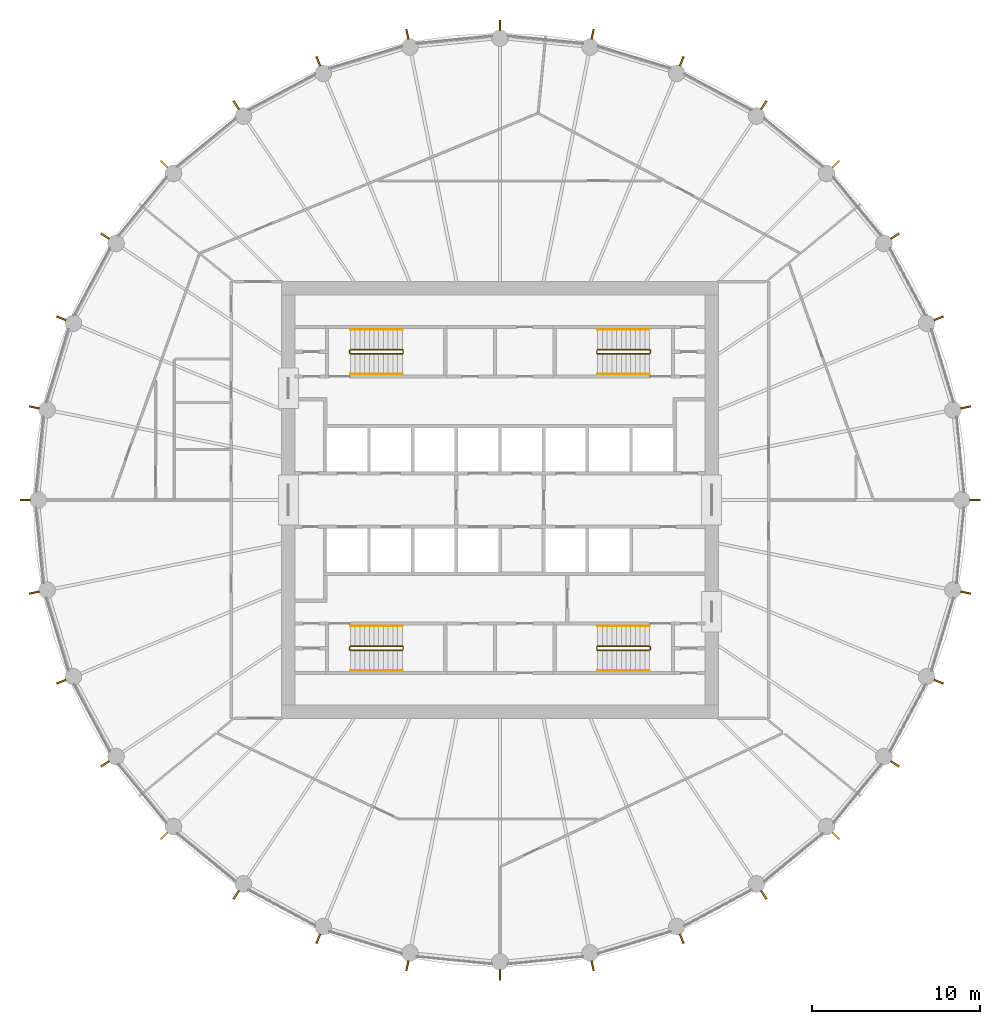
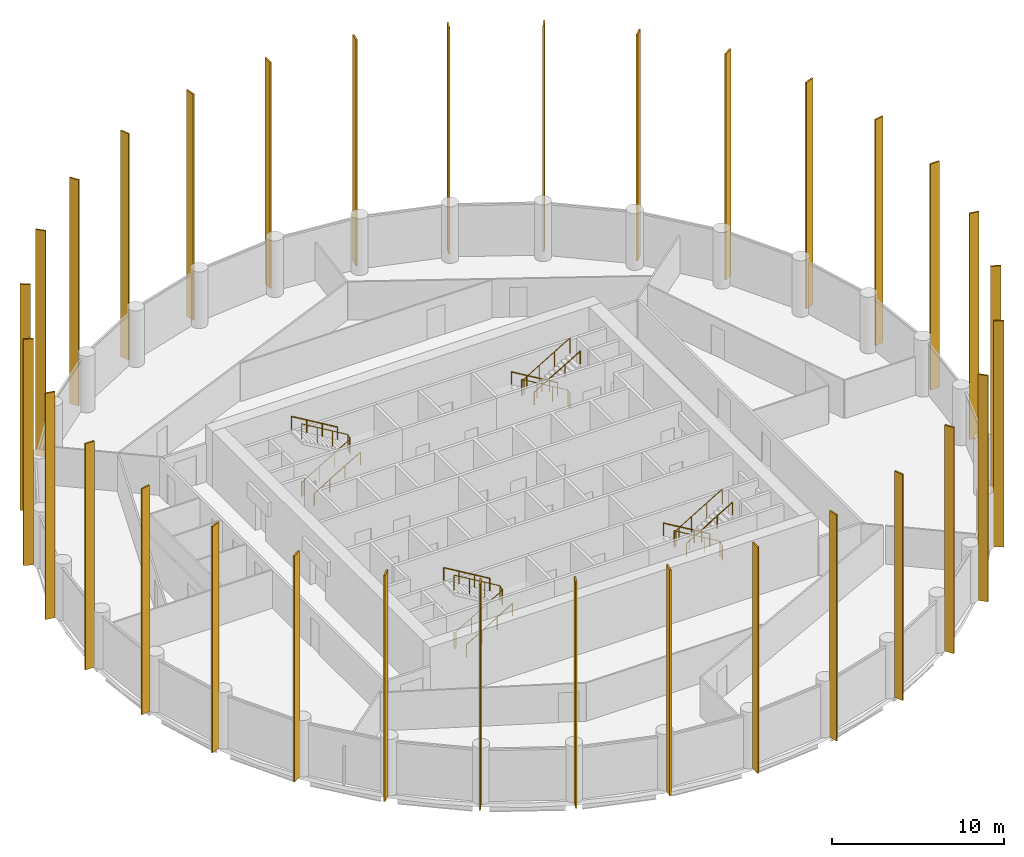
# One storey, part 8 of 8: 32 shading devices, 12 railings.
"""IFC4 building model written with IfcOpenShell, lengths in metres."""

from ifc_helpers import new_model, si_unit, direction, frame, origin, origin_2d, place, context, subcontext, project, spatial, rectangle, circle, extrude, material, material_profile, profile_set, type_object, element, save


model = new_model("IFC4")

# Units and contexts
model_context = context("Model", 3, precision=1e-05, world=origin(), true_north=direction((0.0, 1.0)))
body_context = subcontext(model_context, "Body", "Model", "MODEL_VIEW")
ifc_project = project(units=[si_unit("LENGTHUNIT", "METRE"), si_unit("AREAUNIT", "SQUARE_METRE"), si_unit("VOLUMEUNIT", "CUBIC_METRE"), si_unit("PLANEANGLEUNIT", "RADIAN"), si_unit("MASSUNIT", "GRAM", prefix="KILO")], contexts=[model_context])

# Site, building, storey
site_placement = place(None, origin())
site = spatial("IfcSite", under=ifc_project, at=site_placement, CompositionType="ELEMENT")
building_placement = place(site_placement, origin())
building = spatial("IfcBuilding", under=site, at=building_placement, Name="Corvane Civic Tower", CompositionType="ELEMENT")
storey_placement = place(building_placement, frame((0.0, 0.0, 233.5)))
storey = spatial("IfcBuildingStorey", under=building, at=storey_placement, Name="L55", CompositionType="ELEMENT", Elevation=233.5)

# Railings
ifc_material_1 = material(Name="Steel ASTM A572 Gr 50", Category="steel")
railing_type_1 = type_object("IfcRailingType", Name="ST-GUARD-1100", PredefinedType="GUARDRAIL", material=ifc_material_1)
railing_1_placement = place(storey_placement, frame((8.949951171875, 8.75, 0.0)))
element("IfcRailing", 1, at=railing_1_placement, inside=storey, type_object=railing_type_1, Name="L55 ST1 stair guard 1", PredefinedType="GUARDRAIL", context=body_context, shape_type="SweptSolid", body=[
    extrude(circle(Radius=0.02392578125, at=origin_2d()), frame((0.0, 0.0, 1.076171875), z_axis=(0.0, 1.0, 0.0), x_axis=(-1.0, 0.0, 0.0)), (0.0, 0.0, 1.0), 0.14990234375),
    extrude(circle(Radius=0.02392578125, at=origin_2d()), frame((0.0, 0.14990234375, 1.076171875), z_axis=(-0.27628659633, 0.27628659633, 0.920506074601), x_axis=(-0.707106781187, -0.707106781187, 0.0)), (0.0, 0.0, 1.0), 0.18115234375),
    extrude(circle(Radius=0.02392578125, at=origin_2d()), frame((-0.050048828125, 0.199951171875, 1.24267578125), z_axis=(-0.859290745958, 0.0, 0.51148745235), x_axis=(0.0, -1.0, 0.0)), (0.0, 0.0, 1.0), 3.584228515625),
    extrude(circle(Radius=0.02392578125, at=origin_2d()), frame((-3.1298828125, 0.199951171875, 3.076171875), z_axis=(-0.707106781187, -0.707106781187, 0.0), x_axis=(0.707106781187, -0.707106781187, 0.0)), (0.0, 0.0, 1.0), 0.07080078125),
    extrude(circle(Radius=0.02392578125, at=origin_2d()), frame((-3.179931640625, 0.14990234375, 3.076171875), z_axis=(0.0, -1.0, 0.0), x_axis=(1.0, 0.0, 0.0)), (0.0, 0.0, 1.0), 0.14990234375),
    extrude(circle(Radius=0.02392578125, at=origin_2d()), frame((-3.179931640625, 0.0, 3.076171875), z_axis=(0.27628659633, -0.27628659633, 0.920506074601), x_axis=(0.707106781187, 0.707106781187, 0.0)), (0.0, 0.0, 1.0), 0.18115234375),
    extrude(circle(Radius=0.02392578125, at=origin_2d()), frame((-3.1298828125, -0.050048828125, 3.24267578125), z_axis=(0.859290745958, 0.0, 0.51148745235), x_axis=(0.0, 1.0, 0.0)), (0.0, 0.0, 1.0), 3.584228515625),
    extrude(circle(Radius=0.02099609375, at=origin_2d()), origin(), (0.0, 0.0, 1.0), 1.052001953125),
    extrude(circle(Radius=0.02099609375, at=origin_2d()), frame((0.0, 0.14990234375, 0.0)), (0.0, 0.0, 1.0), 1.052001953125),
    extrude(circle(Radius=0.02099609375, at=origin_2d()), frame((-0.050048828125, 0.199951171875, 0.166748046875)), (0.0, 0.0, 1.0), 1.052001953125),
    extrude(circle(Radius=0.02099609375, at=origin_2d()), frame((-1.07666015625, 0.199951171875, 0.77783203125)), (0.0, 0.0, 1.0), 1.052001953125),
    extrude(circle(Radius=0.02099609375, at=origin_2d()), frame((-2.103271484375, 0.199951171875, 1.388916015625)), (0.0, 0.0, 1.0), 1.052001953125),
    extrude(circle(Radius=0.02099609375, at=origin_2d()), frame((-3.1298828125, 0.199951171875, 2.0)), (0.0, 0.0, 1.0), 1.052001953125),
    extrude(circle(Radius=0.02099609375, at=origin_2d()), frame((-3.179931640625, 0.14990234375, 2.0)), (0.0, 0.0, 1.0), 1.052001953125),
    extrude(circle(Radius=0.02099609375, at=origin_2d()), frame((-3.179931640625, 0.0, 2.0)), (0.0, 0.0, 1.0), 1.052001953125),
    extrude(circle(Radius=0.02099609375, at=origin_2d()), frame((-3.1298828125, -0.050048828125, 2.166748046875)), (0.0, 0.0, 1.0), 1.052001953125),
    extrude(circle(Radius=0.02099609375, at=origin_2d()), frame((-2.103271484375, -0.050048828125, 2.77783203125)), (0.0, 0.0, 1.0), 1.052001953125),
    extrude(circle(Radius=0.02099609375, at=origin_2d()), frame((-1.07666015625, -0.050048828125, 3.388916015625)), (0.0, 0.0, 1.0), 1.052001953125),
    extrude(circle(Radius=0.02099609375, at=origin_2d()), frame((-0.050048828125, -0.050048828125, 4.0)), (0.0, 0.0, 1.0), 1.052001953125),
])
railing_2_placement = place(storey_placement, frame((8.949951171875, -8.89990234375, 0.0)))
element("IfcRailing", 2, at=railing_2_placement, inside=storey, type_object=railing_type_1, Name="L55 ST2 stair guard 1", PredefinedType="GUARDRAIL", context=body_context, shape_type="SweptSolid", body=[
    extrude(circle(Radius=0.02392578125, at=origin_2d()), frame((0.0, 0.0, 1.076171875), z_axis=(0.0, 1.0, 0.0), x_axis=(-1.0, 0.0, 0.0)), (0.0, 0.0, 1.0), 0.14990234375),
    extrude(circle(Radius=0.02392578125, at=origin_2d()), frame((0.0, 0.14990234375, 1.076171875), z_axis=(-0.27628659633, 0.27628659633, 0.920506074601), x_axis=(-0.707106781187, -0.707106781187, 0.0)), (0.0, 0.0, 1.0), 0.18115234375),
    extrude(circle(Radius=0.02392578125, at=origin_2d()), frame((-0.050048828125, 0.199951171875, 1.24267578125), z_axis=(-0.859290745958, 0.0, 0.51148745235), x_axis=(0.0, -1.0, 0.0)), (0.0, 0.0, 1.0), 3.584228515625),
    extrude(circle(Radius=0.02392578125, at=origin_2d()), frame((-3.1298828125, 0.199951171875, 3.076171875), z_axis=(-0.707106781187, -0.707106781187, 0.0), x_axis=(0.707106781187, -0.707106781187, 0.0)), (0.0, 0.0, 1.0), 0.07080078125),
    extrude(circle(Radius=0.02392578125, at=origin_2d()), frame((-3.179931640625, 0.14990234375, 3.076171875), z_axis=(0.0, -1.0, 0.0), x_axis=(1.0, 0.0, 0.0)), (0.0, 0.0, 1.0), 0.14990234375),
    extrude(circle(Radius=0.02392578125, at=origin_2d()), frame((-3.179931640625, 0.0, 3.076171875), z_axis=(0.27628659633, -0.27628659633, 0.920506074601), x_axis=(0.707106781187, 0.707106781187, 0.0)), (0.0, 0.0, 1.0), 0.18115234375),
    extrude(circle(Radius=0.02392578125, at=origin_2d()), frame((-3.1298828125, -0.050048828125, 3.24267578125), z_axis=(0.859290745958, 0.0, 0.51148745235), x_axis=(0.0, 1.0, 0.0)), (0.0, 0.0, 1.0), 3.584228515625),
    extrude(circle(Radius=0.02099609375, at=origin_2d()), origin(), (0.0, 0.0, 1.0), 1.052001953125),
    extrude(circle(Radius=0.02099609375, at=origin_2d()), frame((0.0, 0.14990234375, 0.0)), (0.0, 0.0, 1.0), 1.052001953125),
    extrude(circle(Radius=0.02099609375, at=origin_2d()), frame((-0.050048828125, 0.199951171875, 0.166748046875)), (0.0, 0.0, 1.0), 1.052001953125),
    extrude(circle(Radius=0.02099609375, at=origin_2d()), frame((-1.07666015625, 0.199951171875, 0.77783203125)), (0.0, 0.0, 1.0), 1.052001953125),
    extrude(circle(Radius=0.02099609375, at=origin_2d()), frame((-2.103271484375, 0.199951171875, 1.388916015625)), (0.0, 0.0, 1.0), 1.052001953125),
    extrude(circle(Radius=0.02099609375, at=origin_2d()), frame((-3.1298828125, 0.199951171875, 2.0)), (0.0, 0.0, 1.0), 1.052001953125),
    extrude(circle(Radius=0.02099609375, at=origin_2d()), frame((-3.179931640625, 0.14990234375, 2.0)), (0.0, 0.0, 1.0), 1.052001953125),
    extrude(circle(Radius=0.02099609375, at=origin_2d()), frame((-3.179931640625, 0.0, 2.0)), (0.0, 0.0, 1.0), 1.052001953125),
    extrude(circle(Radius=0.02099609375, at=origin_2d()), frame((-3.1298828125, -0.050048828125, 2.166748046875)), (0.0, 0.0, 1.0), 1.052001953125),
    extrude(circle(Radius=0.02099609375, at=origin_2d()), frame((-2.103271484375, -0.050048828125, 2.77783203125)), (0.0, 0.0, 1.0), 1.052001953125),
    extrude(circle(Radius=0.02099609375, at=origin_2d()), frame((-1.07666015625, -0.050048828125, 3.388916015625)), (0.0, 0.0, 1.0), 1.052001953125),
    extrude(circle(Radius=0.02099609375, at=origin_2d()), frame((-0.050048828125, -0.050048828125, 4.0)), (0.0, 0.0, 1.0), 1.052001953125),
])
railing_3_placement = place(storey_placement, frame((-8.949951171875, -8.75, 0.0)))
element("IfcRailing", 3, at=railing_3_placement, inside=storey, type_object=railing_type_1, Name="L55 ST3 stair guard 1", PredefinedType="GUARDRAIL", context=body_context, shape_type="SweptSolid", body=[
    extrude(circle(Radius=0.02392578125, at=origin_2d()), frame((0.0, 0.0, 1.076171875), z_axis=(0.0, -1.0, 0.0), x_axis=(1.0, 0.0, 0.0)), (0.0, 0.0, 1.0), 0.14990234375),
    extrude(circle(Radius=0.02392578125, at=origin_2d()), frame((0.0, -0.14990234375, 1.076171875), z_axis=(0.27628659633, -0.27628659633, 0.920506074601), x_axis=(0.707106781187, 0.707106781187, 0.0)), (0.0, 0.0, 1.0), 0.18115234375),
    extrude(circle(Radius=0.02392578125, at=origin_2d()), frame((0.050048828125, -0.199951171875, 1.24267578125), z_axis=(0.859290745958, 0.0, 0.51148745235), x_axis=(0.0, 1.0, 0.0)), (0.0, 0.0, 1.0), 3.584228515625),
    extrude(circle(Radius=0.02392578125, at=origin_2d()), frame((3.1298828125, -0.199951171875, 3.076171875), z_axis=(0.707106781187, 0.707106781187, 0.0), x_axis=(-0.707106781187, 0.707106781187, 0.0)), (0.0, 0.0, 1.0), 0.07080078125),
    extrude(circle(Radius=0.02392578125, at=origin_2d()), frame((3.179931640625, -0.14990234375, 3.076171875), z_axis=(0.0, 1.0, 0.0), x_axis=(-1.0, 0.0, 0.0)), (0.0, 0.0, 1.0), 0.14990234375),
    extrude(circle(Radius=0.02392578125, at=origin_2d()), frame((3.179931640625, 0.0, 3.076171875), z_axis=(-0.27628659633, 0.27628659633, 0.920506074601), x_axis=(-0.707106781187, -0.707106781187, 0.0)), (0.0, 0.0, 1.0), 0.18115234375),
    extrude(circle(Radius=0.02392578125, at=origin_2d()), frame((3.1298828125, 0.050048828125, 3.24267578125), z_axis=(-0.859290745958, 0.0, 0.51148745235), x_axis=(0.0, -1.0, 0.0)), (0.0, 0.0, 1.0), 3.584228515625),
    extrude(circle(Radius=0.02099609375, at=origin_2d()), origin(), (0.0, 0.0, 1.0), 1.052001953125),
    extrude(circle(Radius=0.02099609375, at=origin_2d()), frame((0.0, -0.14990234375, 0.0)), (0.0, 0.0, 1.0), 1.052001953125),
    extrude(circle(Radius=0.02099609375, at=origin_2d()), frame((0.050048828125, -0.199951171875, 0.166748046875)), (0.0, 0.0, 1.0), 1.052001953125),
    extrude(circle(Radius=0.02099609375, at=origin_2d()), frame((1.07666015625, -0.199951171875, 0.77783203125)), (0.0, 0.0, 1.0), 1.052001953125),
    extrude(circle(Radius=0.02099609375, at=origin_2d()), frame((2.103271484375, -0.199951171875, 1.388916015625)), (0.0, 0.0, 1.0), 1.052001953125),
    extrude(circle(Radius=0.02099609375, at=origin_2d()), frame((3.1298828125, -0.199951171875, 2.0)), (0.0, 0.0, 1.0), 1.052001953125),
    extrude(circle(Radius=0.02099609375, at=origin_2d()), frame((3.179931640625, -0.14990234375, 2.0)), (0.0, 0.0, 1.0), 1.052001953125),
    extrude(circle(Radius=0.02099609375, at=origin_2d()), frame((3.179931640625, 0.0, 2.0)), (0.0, 0.0, 1.0), 1.052001953125),
    extrude(circle(Radius=0.02099609375, at=origin_2d()), frame((3.1298828125, 0.050048828125, 2.166748046875)), (0.0, 0.0, 1.0), 1.052001953125),
    extrude(circle(Radius=0.02099609375, at=origin_2d()), frame((2.103271484375, 0.050048828125, 2.77783203125)), (0.0, 0.0, 1.0), 1.052001953125),
    extrude(circle(Radius=0.02099609375, at=origin_2d()), frame((1.07666015625, 0.050048828125, 3.388916015625)), (0.0, 0.0, 1.0), 1.052001953125),
    extrude(circle(Radius=0.02099609375, at=origin_2d()), frame((0.050048828125, 0.050048828125, 4.0)), (0.0, 0.0, 1.0), 1.052001953125),
])
railing_4_placement = place(storey_placement, frame((-8.949951171875, 8.89990234375, 0.0)))
element("IfcRailing", 4, at=railing_4_placement, inside=storey, type_object=railing_type_1, Name="L55 ST4 stair guard 1", PredefinedType="GUARDRAIL", context=body_context, shape_type="SweptSolid", body=[
    extrude(circle(Radius=0.02392578125, at=origin_2d()), frame((0.0, 0.0, 1.076171875), z_axis=(0.0, -1.0, 0.0), x_axis=(1.0, 0.0, 0.0)), (0.0, 0.0, 1.0), 0.14990234375),
    extrude(circle(Radius=0.02392578125, at=origin_2d()), frame((0.0, -0.14990234375, 1.076171875), z_axis=(0.27628659633, -0.27628659633, 0.920506074601), x_axis=(0.707106781187, 0.707106781187, 0.0)), (0.0, 0.0, 1.0), 0.18115234375),
    extrude(circle(Radius=0.02392578125, at=origin_2d()), frame((0.050048828125, -0.199951171875, 1.24267578125), z_axis=(0.859290745958, 0.0, 0.51148745235), x_axis=(0.0, 1.0, 0.0)), (0.0, 0.0, 1.0), 3.584228515625),
    extrude(circle(Radius=0.02392578125, at=origin_2d()), frame((3.1298828125, -0.199951171875, 3.076171875), z_axis=(0.707106781187, 0.707106781187, 0.0), x_axis=(-0.707106781187, 0.707106781187, 0.0)), (0.0, 0.0, 1.0), 0.07080078125),
    extrude(circle(Radius=0.02392578125, at=origin_2d()), frame((3.179931640625, -0.14990234375, 3.076171875), z_axis=(0.0, 1.0, 0.0), x_axis=(-1.0, 0.0, 0.0)), (0.0, 0.0, 1.0), 0.14990234375),
    extrude(circle(Radius=0.02392578125, at=origin_2d()), frame((3.179931640625, 0.0, 3.076171875), z_axis=(-0.27628659633, 0.27628659633, 0.920506074601), x_axis=(-0.707106781187, -0.707106781187, 0.0)), (0.0, 0.0, 1.0), 0.18115234375),
    extrude(circle(Radius=0.02392578125, at=origin_2d()), frame((3.1298828125, 0.050048828125, 3.24267578125), z_axis=(-0.859290745958, 0.0, 0.51148745235), x_axis=(0.0, -1.0, 0.0)), (0.0, 0.0, 1.0), 3.584228515625),
    extrude(circle(Radius=0.02099609375, at=origin_2d()), origin(), (0.0, 0.0, 1.0), 1.052001953125),
    extrude(circle(Radius=0.02099609375, at=origin_2d()), frame((0.0, -0.14990234375, 0.0)), (0.0, 0.0, 1.0), 1.052001953125),
    extrude(circle(Radius=0.02099609375, at=origin_2d()), frame((0.050048828125, -0.199951171875, 0.166748046875)), (0.0, 0.0, 1.0), 1.052001953125),
    extrude(circle(Radius=0.02099609375, at=origin_2d()), frame((1.07666015625, -0.199951171875, 0.77783203125)), (0.0, 0.0, 1.0), 1.052001953125),
    extrude(circle(Radius=0.02099609375, at=origin_2d()), frame((2.103271484375, -0.199951171875, 1.388916015625)), (0.0, 0.0, 1.0), 1.052001953125),
    extrude(circle(Radius=0.02099609375, at=origin_2d()), frame((3.1298828125, -0.199951171875, 2.0)), (0.0, 0.0, 1.0), 1.052001953125),
    extrude(circle(Radius=0.02099609375, at=origin_2d()), frame((3.179931640625, -0.14990234375, 2.0)), (0.0, 0.0, 1.0), 1.052001953125),
    extrude(circle(Radius=0.02099609375, at=origin_2d()), frame((3.179931640625, 0.0, 2.0)), (0.0, 0.0, 1.0), 1.052001953125),
    extrude(circle(Radius=0.02099609375, at=origin_2d()), frame((3.1298828125, 0.050048828125, 2.166748046875)), (0.0, 0.0, 1.0), 1.052001953125),
    extrude(circle(Radius=0.02099609375, at=origin_2d()), frame((2.103271484375, 0.050048828125, 2.77783203125)), (0.0, 0.0, 1.0), 1.052001953125),
    extrude(circle(Radius=0.02099609375, at=origin_2d()), frame((1.07666015625, 0.050048828125, 3.388916015625)), (0.0, 0.0, 1.0), 1.052001953125),
    extrude(circle(Radius=0.02099609375, at=origin_2d()), frame((0.050048828125, 0.050048828125, 4.0)), (0.0, 0.0, 1.0), 1.052001953125),
])
ifc_material_2 = material(Name="Steel ASTM A572 Gr 50", Category="steel")
railing_type_2 = type_object("IfcRailingType", Name="ST-HANDRAIL-900", PredefinedType="HANDRAIL", material=ifc_material_2)
railing_5_placement = place(storey_placement, frame((8.89990234375, 10.14990234375, 0.166748046875)))
element("IfcRailing", 5, at=railing_5_placement, inside=storey, type_object=railing_type_2, Name="L55 ST1 stair handrail 1", PredefinedType="HANDRAIL", context=body_context, shape_type="SweptSolid", body=[
    extrude(circle(Radius=0.02392578125, at=origin_2d()), frame((0.0, 0.0, 0.8759765625), z_axis=(-0.859290745958, 0.0, 0.51148745235), x_axis=(0.0, -1.0, 0.0)), (0.0, 0.0, 1.0), 3.584228515625),
    extrude(circle(Radius=0.02099609375, at=origin_2d()), origin(), (0.0, 0.0, 1.0), 0.851806640625),
    extrude(circle(Radius=0.02099609375, at=origin_2d()), frame((-1.026611328125, 0.0, 0.611083984375)), (0.0, 0.0, 1.0), 0.851806640625),
    extrude(circle(Radius=0.02099609375, at=origin_2d()), frame((-2.05322265625, 0.0, 1.22216796875)), (0.0, 0.0, 1.0), 0.851806640625),
    extrude(circle(Radius=0.02099609375, at=origin_2d()), frame((-3.079833984375, 0.0, 1.833251953125)), (0.0, 0.0, 1.0), 0.851806640625),
])
railing_6_placement = place(storey_placement, frame((5.820068359375, 7.5, 2.166748046875)))
element("IfcRailing", 6, at=railing_6_placement, inside=storey, type_object=railing_type_2, Name="L55 ST1 stair handrail 2", PredefinedType="HANDRAIL", context=body_context, shape_type="SweptSolid", body=[
    extrude(circle(Radius=0.02392578125, at=origin_2d()), frame((0.0, 0.0, 0.8759765625), z_axis=(0.859290745958, 0.0, 0.51148745235), x_axis=(0.0, 1.0, 0.0)), (0.0, 0.0, 1.0), 3.584228515625),
    extrude(circle(Radius=0.02099609375, at=origin_2d()), origin(), (0.0, 0.0, 1.0), 0.851806640625),
    extrude(circle(Radius=0.02099609375, at=origin_2d()), frame((1.026611328125, 0.0, 0.611083984375)), (0.0, 0.0, 1.0), 0.851806640625),
    extrude(circle(Radius=0.02099609375, at=origin_2d()), frame((2.05322265625, 0.0, 1.22216796875)), (0.0, 0.0, 1.0), 0.851806640625),
    extrude(circle(Radius=0.02099609375, at=origin_2d()), frame((3.079833984375, 0.0, 1.833251953125)), (0.0, 0.0, 1.0), 0.851806640625),
])
railing_7_placement = place(storey_placement, frame((8.89990234375, -7.5, 0.166748046875)))
element("IfcRailing", 7, at=railing_7_placement, inside=storey, type_object=railing_type_2, Name="L55 ST2 stair handrail 1", PredefinedType="HANDRAIL", context=body_context, shape_type="SweptSolid", body=[
    extrude(circle(Radius=0.02392578125, at=origin_2d()), frame((0.0, 0.0, 0.8759765625), z_axis=(-0.859290745958, 0.0, 0.51148745235), x_axis=(0.0, -1.0, 0.0)), (0.0, 0.0, 1.0), 3.584228515625),
    extrude(circle(Radius=0.02099609375, at=origin_2d()), origin(), (0.0, 0.0, 1.0), 0.851806640625),
    extrude(circle(Radius=0.02099609375, at=origin_2d()), frame((-1.026611328125, 0.0, 0.611083984375)), (0.0, 0.0, 1.0), 0.851806640625),
    extrude(circle(Radius=0.02099609375, at=origin_2d()), frame((-2.05322265625, 0.0, 1.22216796875)), (0.0, 0.0, 1.0), 0.851806640625),
    extrude(circle(Radius=0.02099609375, at=origin_2d()), frame((-3.079833984375, 0.0, 1.833251953125)), (0.0, 0.0, 1.0), 0.851806640625),
])
for number, where, name in (
    (8, (5.820068359375, -10.14990234375, 2.166748046875), "L55 ST2 stair handrail 2"),
    (9, (-8.89990234375, -10.14990234375, 0.166748046875), "L55 ST3 stair handrail 1"),
):
    element("IfcRailing", number, at=place(storey_placement, frame(where)), inside=storey, type_object=railing_type_2, Name=name, PredefinedType="HANDRAIL", context=body_context, shape_type="SweptSolid", body=[
        extrude(circle(Radius=0.02392578125, at=origin_2d()), frame((0.0, 0.0, 0.8759765625), z_axis=(0.859290745958, 0.0, 0.51148745235), x_axis=(0.0, 1.0, 0.0)), (0.0, 0.0, 1.0), 3.584228515625),
        extrude(circle(Radius=0.02099609375, at=origin_2d()), origin(), (0.0, 0.0, 1.0), 0.851806640625),
        extrude(circle(Radius=0.02099609375, at=origin_2d()), frame((1.026611328125, 0.0, 0.611083984375)), (0.0, 0.0, 1.0), 0.851806640625),
        extrude(circle(Radius=0.02099609375, at=origin_2d()), frame((2.05322265625, 0.0, 1.22216796875)), (0.0, 0.0, 1.0), 0.851806640625),
        extrude(circle(Radius=0.02099609375, at=origin_2d()), frame((3.079833984375, 0.0, 1.833251953125)), (0.0, 0.0, 1.0), 0.851806640625),
    ])
railing_8_placement = place(storey_placement, frame((-5.820068359375, -7.5, 2.166748046875)))
element("IfcRailing", 10, at=railing_8_placement, inside=storey, type_object=railing_type_2, Name="L55 ST3 stair handrail 2", PredefinedType="HANDRAIL", context=body_context, shape_type="SweptSolid", body=[
    extrude(circle(Radius=0.02392578125, at=origin_2d()), frame((0.0, 0.0, 0.8759765625), z_axis=(-0.859290745958, 0.0, 0.51148745235), x_axis=(0.0, -1.0, 0.0)), (0.0, 0.0, 1.0), 3.584228515625),
    extrude(circle(Radius=0.02099609375, at=origin_2d()), origin(), (0.0, 0.0, 1.0), 0.851806640625),
    extrude(circle(Radius=0.02099609375, at=origin_2d()), frame((-1.026611328125, 0.0, 0.611083984375)), (0.0, 0.0, 1.0), 0.851806640625),
    extrude(circle(Radius=0.02099609375, at=origin_2d()), frame((-2.05322265625, 0.0, 1.22216796875)), (0.0, 0.0, 1.0), 0.851806640625),
    extrude(circle(Radius=0.02099609375, at=origin_2d()), frame((-3.079833984375, 0.0, 1.833251953125)), (0.0, 0.0, 1.0), 0.851806640625),
])
railing_9_placement = place(storey_placement, frame((-8.89990234375, 7.5, 0.166748046875)))
element("IfcRailing", 11, at=railing_9_placement, inside=storey, type_object=railing_type_2, Name="L55 ST4 stair handrail 1", PredefinedType="HANDRAIL", context=body_context, shape_type="SweptSolid", body=[
    extrude(circle(Radius=0.02392578125, at=origin_2d()), frame((0.0, 0.0, 0.8759765625), z_axis=(0.859290745958, 0.0, 0.51148745235), x_axis=(0.0, 1.0, 0.0)), (0.0, 0.0, 1.0), 3.584228515625),
    extrude(circle(Radius=0.02099609375, at=origin_2d()), origin(), (0.0, 0.0, 1.0), 0.851806640625),
    extrude(circle(Radius=0.02099609375, at=origin_2d()), frame((1.026611328125, 0.0, 0.611083984375)), (0.0, 0.0, 1.0), 0.851806640625),
    extrude(circle(Radius=0.02099609375, at=origin_2d()), frame((2.05322265625, 0.0, 1.22216796875)), (0.0, 0.0, 1.0), 0.851806640625),
    extrude(circle(Radius=0.02099609375, at=origin_2d()), frame((3.079833984375, 0.0, 1.833251953125)), (0.0, 0.0, 1.0), 0.851806640625),
])
railing_10_placement = place(storey_placement, frame((-5.820068359375, 10.14990234375, 2.166748046875)))
element("IfcRailing", 12, at=railing_10_placement, inside=storey, type_object=railing_type_2, Name="L55 ST4 stair handrail 2", PredefinedType="HANDRAIL", context=body_context, shape_type="SweptSolid", body=[
    extrude(circle(Radius=0.02392578125, at=origin_2d()), frame((0.0, 0.0, 0.8759765625), z_axis=(-0.859290745958, 0.0, 0.51148745235), x_axis=(0.0, -1.0, 0.0)), (0.0, 0.0, 1.0), 3.584228515625),
    extrude(circle(Radius=0.02099609375, at=origin_2d()), origin(), (0.0, 0.0, 1.0), 0.851806640625),
    extrude(circle(Radius=0.02099609375, at=origin_2d()), frame((-1.026611328125, 0.0, 0.611083984375)), (0.0, 0.0, 1.0), 0.851806640625),
    extrude(circle(Radius=0.02099609375, at=origin_2d()), frame((-2.05322265625, 0.0, 1.22216796875)), (0.0, 0.0, 1.0), 0.851806640625),
    extrude(circle(Radius=0.02099609375, at=origin_2d()), frame((-3.079833984375, 0.0, 1.833251953125)), (0.0, 0.0, 1.0), 0.851806640625),
])

# Shading devices
ifc_material_3 = material(Name="Anodised aluminium bronze", Category="aluminium")
ifc_material_profile = material_profile(ifc_material_3, rectangle(XDim=0.10009765625, YDim=0.60009765625, at=origin_2d()), Name="TOWER FIN STACK 100x600 BRONZE")
ifc_profile_set = profile_set([ifc_material_profile], Name="Anodised aluminium bronze")
shading_device_type = type_object("IfcShadingDeviceType", Name="TOWER FIN STACK 100x600 BRONZE", PredefinedType="USERDEFINED", material=ifc_profile_set)
for number, where, z_axis, x_axis, name in (
    (13, (0.0, 28.280029296875, 0.0), (0.0, 0.0, 1.0), (1.0, 0.0, 0.0), "Fin 01 L55 to L58"),
    (14, (5.51708984375, 27.736572265625, 0.0), (0.0, 0.0, 1.0), (0.980785280403, -0.195090322016, 0.0), "Fin 02 L55 to L58"),
    (15, (10.822265625, 26.127197265625, 0.0), (0.0, 0.0, 1.0), (0.923879532511, -0.382683432365, 0.0), "Fin 03 L55 to L58"),
    (16, (15.71142578125, 23.513916015625, 0.0), (0.0, 0.0, 1.0), (0.831469612303, -0.55557023302, 0.0), "Fin 04 L55 to L58"),
    (17, (19.9970703125, 19.9970703125, 0.0), (0.0, 0.0, 1.0), (0.707106781187, -0.707106781187, 0.0), "Fin 05 L55 to L58"),
    (18, (23.513916015625, 15.71142578125, 0.0), (0.0, 0.0, 1.0), (0.55557023302, -0.831469612303, 0.0), "Fin 06 L55 to L58"),
    (19, (26.127197265625, 10.822265625, 0.0), (0.0, 0.0, 1.0), (0.382683432365, -0.923879532511, 0.0), "Fin 07 L55 to L58"),
    (20, (27.736572265625, 5.51708984375, 0.0), (0.0, 0.0, 1.0), (0.195090322016, -0.980785280403, 0.0), "Fin 08 L55 to L58"),
    (21, (28.280029296875, 0.0, 0.0), (0.0, 0.0, 1.0), (0.0, -1.0, 0.0), "Fin 09 L55 to L58"),
    (22, (27.736572265625, -5.51708984375, 0.0), (0.0, 0.0, 1.0), (-0.195090322016, -0.980785280403, 0.0), "Fin 10 L55 to L58"),
    (23, (26.127197265625, -10.822265625, 0.0), (0.0, 0.0, 1.0), (-0.382683432365, -0.923879532511, 0.0), "Fin 11 L55 to L58"),
    (24, (23.513916015625, -15.71142578125, 0.0), (0.0, 0.0, 1.0), (-0.55557023302, -0.831469612303, 0.0), "Fin 12 L55 to L58"),
    (25, (19.9970703125, -19.9970703125, 0.0), (0.0, 0.0, 1.0), (-0.707106781187, -0.707106781187, 0.0), "Fin 13 L55 to L58"),
    (26, (15.71142578125, -23.513916015625, 0.0), (0.0, 0.0, 1.0), (-0.831469612303, -0.55557023302, 0.0), "Fin 14 L55 to L58"),
    (27, (10.822265625, -26.127197265625, 0.0), (0.0, 0.0, 1.0), (-0.923879532511, -0.382683432365, 0.0), "Fin 15 L55 to L58"),
    (28, (5.51708984375, -27.736572265625, 0.0), (0.0, 0.0, 1.0), (-0.980785280403, -0.195090322016, 0.0), "Fin 16 L55 to L58"),
    (29, (0.0, -28.280029296875, 0.0), (0.0, 0.0, 1.0), (-1.0, 0.0, 0.0), "Fin 17 L55 to L58"),
    (30, (-5.51708984375, -27.736572265625, 0.0), (0.0, 0.0, 1.0), (-0.980785280403, 0.195090322016, 0.0), "Fin 18 L55 to L58"),
    (31, (-10.822265625, -26.127197265625, 0.0), (0.0, 0.0, 1.0), (-0.923879532511, 0.382683432365, 0.0), "Fin 19 L55 to L58"),
    (32, (-15.71142578125, -23.513916015625, 0.0), (0.0, 0.0, 1.0), (-0.831469612303, 0.55557023302, 0.0), "Fin 20 L55 to L58"),
    (33, (-19.9970703125, -19.9970703125, 0.0), (0.0, 0.0, 1.0), (-0.707106781187, 0.707106781187, 0.0), "Fin 21 L55 to L58"),
    (34, (-23.513916015625, -15.71142578125, 0.0), (0.0, 0.0, 1.0), (-0.55557023302, 0.831469612303, 0.0), "Fin 22 L55 to L58"),
    (35, (-26.127197265625, -10.822265625, 0.0), (0.0, 0.0, 1.0), (-0.382683432365, 0.923879532511, 0.0), "Fin 23 L55 to L58"),
    (36, (-27.736572265625, -5.51708984375, 0.0), (0.0, 0.0, 1.0), (-0.195090322016, 0.980785280403, 0.0), "Fin 24 L55 to L58"),
    (37, (-28.280029296875, 0.0, 0.0), (0.0, 0.0, 1.0), (0.0, 1.0, 0.0), "Fin 25 L55 to L58"),
    (38, (-27.736572265625, 5.51708984375, 0.0), (0.0, 0.0, 1.0), (0.195090322016, 0.980785280403, 0.0), "Fin 26 L55 to L58"),
    (39, (-26.127197265625, 10.822265625, 0.0), (0.0, 0.0, 1.0), (0.382683432365, 0.923879532511, 0.0), "Fin 27 L55 to L58"),
    (40, (-23.513916015625, 15.71142578125, 0.0), (0.0, 0.0, 1.0), (0.55557023302, 0.831469612303, 0.0), "Fin 28 L55 to L58"),
    (41, (-19.9970703125, 19.9970703125, 0.0), (0.0, 0.0, 1.0), (0.707106781187, 0.707106781187, 0.0), "Fin 29 L55 to L58"),
    (42, (-15.71142578125, 23.513916015625, 0.0), (0.0, 0.0, 1.0), (0.831469612303, 0.55557023302, 0.0), "Fin 30 L55 to L58"),
    (43, (-10.822265625, 26.127197265625, 0.0), (0.0, 0.0, 1.0), (0.923879532511, 0.382683432365, 0.0), "Fin 31 L55 to L58"),
    (44, (-5.51708984375, 27.736572265625, 0.0), (0.0, 0.0, 1.0), (0.980785280403, 0.195090322016, 0.0), "Fin 32 L55 to L58"),
):
    element("IfcShadingDevice", number, at=place(storey_placement, frame(where, z_axis=z_axis, x_axis=x_axis)), inside=storey, type_object=shading_device_type, Name=name, ObjectType="FIN", PredefinedType="USERDEFINED", context=body_context, shape_type="SweptSolid", body=[
        extrude(rectangle(XDim=0.10009765625, YDim=0.60009765625, at=origin_2d()), origin(), (0.0, 0.0, 1.0), 16.0),
    ])

save(model, "model.ifc")
